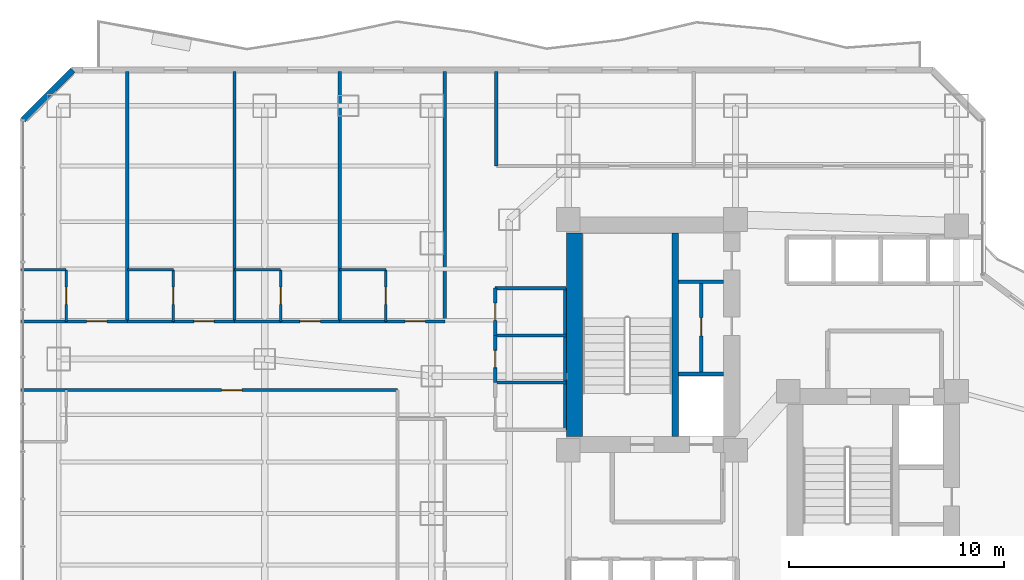
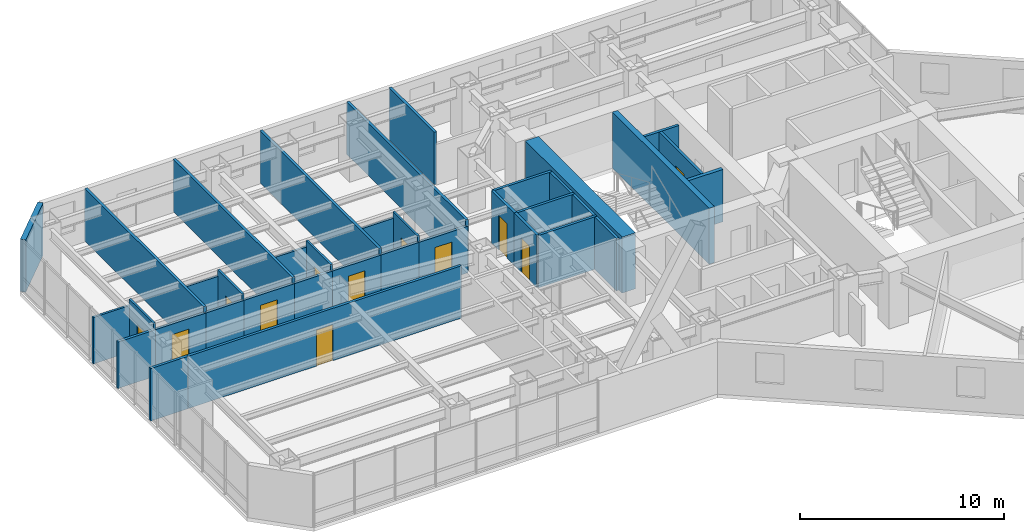
# One storey, part 26 of 33: 35 walls, 12 doors, 12 openings.
"""IFC4 building model written with IfcOpenShell, lengths in metres."""

from ifc_helpers import new_model, si_unit, direction, frame, frame_2d, origin, place, context, subcontext, project, spatial, rectangle, extrude, material, layer, layer_set, type_object, element, fill, save


model = new_model("IFC4")

# Units and contexts
model_context = context("Model", 3, precision=1e-05, world=origin(), true_north=direction((0.0, 1.0)))
body_context = subcontext(model_context, "Body", "Model", "MODEL_VIEW")
ifc_project = project(units=[si_unit("LENGTHUNIT", "METRE"), si_unit("AREAUNIT", "SQUARE_METRE"), si_unit("VOLUMEUNIT", "CUBIC_METRE"), si_unit("PLANEANGLEUNIT", "RADIAN"), si_unit("MASSUNIT", "GRAM", prefix="KILO")], contexts=[model_context])

# Site, building, storey
site_placement = place(None, origin())
site = spatial("IfcSite", under=ifc_project, at=site_placement, CompositionType="ELEMENT")
building_placement = place(site_placement, origin())
building = spatial("IfcBuilding", under=site, at=building_placement, Name="Hatsunagi Terrace Concourse", CompositionType="ELEMENT")
storey_placement = place(building_placement, frame((0.0, 0.0, 43.300048828125)))
storey = spatial("IfcBuildingStorey", under=building, at=storey_placement, Name="L10", CompositionType="ELEMENT", Elevation=43.300048828125)

# Walls
ifc_material_1 = material(Name="Concrete Fc60", Category="concrete")
ifc_layer_1 = layer(ifc_material_1, 0.75)
ifc_layer_set_1 = layer_set([ifc_layer_1], Name="CoreShearWall_Fc60_750")
wall_type_1 = type_object("IfcWallType", Name="CoreShearWall_Fc60_750", PredefinedType="SHEAR", material=ifc_layer_set_1)
wall_1_placement = place(storey_placement, frame((25.844970703125, 33.18994140625, 0.0), z_axis=(0.0, 0.0, 1.0), x_axis=(0.0, 1.0, 0.0)))
element("IfcWall", 1, at=wall_1_placement, inside=storey, type_object=wall_type_1, Name="Core A Shear Wall W L10", PredefinedType="SHEAR", context=body_context, shape_type="SweptSolid", body=[
    extrude(rectangle(XDim=9.47998046875, YDim=0.75, at=frame_2d((4.739990234375, 0.0))), origin(), (0.0, 0.0, 1.0), 3.349853515625),
])
ifc_material_2 = material(Name="Concrete Fc48", Category="concrete")
ifc_layer_2 = layer(ifc_material_2, 0.300048828125)
ifc_layer_set_2 = layer_set([ifc_layer_2], Name="CoreStairDivider_Fc48_300")
wall_type_2 = type_object("IfcWallType", Name="CoreStairDivider_Fc48_300", PredefinedType="SHEAR", material=ifc_layer_set_2)
wall_2_placement = place(storey_placement, frame((30.5400390625, 33.18994140625, 0.0), z_axis=(0.0, 0.0, 1.0), x_axis=(0.0, 1.0, 0.0)))
element("IfcWall", 2, at=wall_2_placement, inside=storey, type_object=wall_type_2, Name="Core A Shear Wall D L10", PredefinedType="SHEAR", context=body_context, shape_type="SweptSolid", body=[
    extrude(rectangle(XDim=9.47998046875, YDim=0.300048828125, at=frame_2d((4.739990234375, 0.0))), origin(), (0.0, 0.0, 1.0), 3.349853515625),
])

# Wall, opening, door
ifc_material_3 = material(Name="Acoustic mineral board", Category="gypsum")
ifc_layer_3 = layer(ifc_material_3, 0.1201171875)
ifc_layer_set_3 = layer_set([ifc_layer_3], Name="PartitionWall_EI30_120")
wall_type_3 = type_object("IfcWallType", Name="PartitionWall_EI30_120", PredefinedType="PARTITIONING", material=ifc_layer_set_3)
wall_3_placement = place(storey_placement, frame((2.14990234375, 38.550048828125, 0.0), z_axis=(0.0, 0.0, 1.0), x_axis=(0.0, 1.0, 0.0)))
wall_3 = element("IfcWall", 3, at=wall_3_placement, inside=storey, type_object=wall_type_3, Name="Interior Partition IW-L10-047", PredefinedType="PARTITIONING", context=body_context, shape_type="SweptSolid", body=[
    extrude(rectangle(XDim=2.39990234375, YDim=0.1201171875, at=frame_2d((1.199951171875, 0.0))), origin(), (0.0, 0.0, 1.0), 3.1298828125),
])
opening_1_placement = place(wall_3_placement, frame((0.800048828125, 0.0, 0.0)))
opening_1 = element("IfcOpeningElement", 4, at=opening_1_placement, cuts=wall_3, Name="Opening DR-080", PredefinedType="OPENING", context=body_context, shape_type="SweptSolid", body=[
    extrude(rectangle(XDim=0.800048828125, YDim=2.06005859375, at=frame_2d((0.39990234375, 1.030029296875))), frame((0.0, 0.070068359375, 0.0), z_axis=(0.0, -1.0, 0.0), x_axis=(1.0, 0.0, 0.0)), (0.0, 0.0, 1.0), 0.14013671875),
])
ifc_material_4 = material(Name="Hardwood timber", Category="wood")
door_type_1 = type_object("IfcDoorType", Name="BathroomDoor_800", OperationType="NOTDEFINED", PredefinedType="DOOR", material=ifc_material_4)
door_1_placement = place(opening_1_placement, origin())
door_1 = element("IfcDoor", 5, at=door_1_placement, inside=storey, type_object=door_type_1, Name="En-Suite Bathroom L10-N1 Door", OperationType="SINGLE_SWING_RIGHT", OverallHeight=2.06005859375, OverallWidth=0.800048828125, PredefinedType="DOOR", context=body_context, shape_type="SweptSolid", body=[
    extrude(rectangle(XDim=0.800048828125, YDim=2.06005859375, at=frame_2d((0.39990234375, 1.030029296875))), frame((0.0, 0.02490234375, 0.0), z_axis=(0.0, -1.0, 0.0), x_axis=(1.0, 0.0, 0.0)), (0.0, 0.0, 1.0), 0.050048828125),
])
fill(opening_1, door_1)

# Wall
wall_4_placement = place(storey_placement, frame((0.0400390625, 40.949951171875, 0.0), z_axis=(0.0, 0.0, 1.0), x_axis=(1.0, 0.0, 0.0)))
element("IfcWall", 6, at=wall_4_placement, inside=storey, type_object=wall_type_3, Name="Interior Partition IW-L10-048", PredefinedType="PARTITIONING", context=body_context, shape_type="SweptSolid", body=[
    extrude(rectangle(XDim=2.10986328125, YDim=0.1201171875, at=frame_2d((1.054931640625, 0.0))), origin(), (0.0, 0.0, 1.0), 2.77490234375),
])

# Wall, opening, door
wall_5_placement = place(storey_placement, frame((7.14990234375, 38.550048828125, 0.0), z_axis=(0.0, 0.0, 1.0), x_axis=(0.0, 1.0, 0.0)))
wall_5 = element("IfcWall", 7, at=wall_5_placement, inside=storey, type_object=wall_type_3, Name="Interior Partition IW-L10-052", PredefinedType="PARTITIONING", context=body_context, shape_type="SweptSolid", body=[
    extrude(rectangle(XDim=2.39990234375, YDim=0.1201171875, at=frame_2d((1.199951171875, 0.0))), origin(), (0.0, 0.0, 1.0), 3.1298828125),
])
opening_2_placement = place(wall_5_placement, frame((0.800048828125, 0.0, 0.0)))
opening_2 = element("IfcOpeningElement", 8, at=opening_2_placement, cuts=wall_5, Name="Opening DR-080", PredefinedType="OPENING", context=body_context, shape_type="SweptSolid", body=[
    extrude(rectangle(XDim=0.800048828125, YDim=2.06005859375, at=frame_2d((0.39990234375, 1.030029296875))), frame((0.0, 0.070068359375, 0.0), z_axis=(0.0, -1.0, 0.0), x_axis=(1.0, 0.0, 0.0)), (0.0, 0.0, 1.0), 0.14013671875),
])
door_2_placement = place(opening_2_placement, origin())
door_2 = element("IfcDoor", 9, at=door_2_placement, inside=storey, type_object=door_type_1, Name="En-Suite Bathroom L10-N2 Door", OperationType="SINGLE_SWING_LEFT", OverallHeight=2.06005859375, OverallWidth=0.800048828125, PredefinedType="DOOR", context=body_context, shape_type="SweptSolid", body=[
    extrude(rectangle(XDim=0.800048828125, YDim=2.06005859375, at=frame_2d((0.39990234375, 1.030029296875))), frame((0.0, 0.02490234375, 0.0), z_axis=(0.0, -1.0, 0.0), x_axis=(1.0, 0.0, 0.0)), (0.0, 0.0, 1.0), 0.050048828125),
])
fill(opening_2, door_2)

# Wall
wall_6_placement = place(storey_placement, frame((5.0, 40.949951171875, 0.0), z_axis=(0.0, 0.0, 1.0), x_axis=(1.0, 0.0, 0.0)))
element("IfcWall", 10, at=wall_6_placement, inside=storey, type_object=wall_type_3, Name="Interior Partition IW-L10-053", PredefinedType="PARTITIONING", context=body_context, shape_type="SweptSolid", body=[
    extrude(rectangle(XDim=2.14990234375, YDim=0.1201171875, at=frame_2d((1.074951171875, 0.0))), origin(), (0.0, 0.0, 1.0), 2.77490234375),
])

# Wall, opening, door
wall_7_placement = place(storey_placement, frame((12.14990234375, 38.550048828125, 0.0), z_axis=(0.0, 0.0, 1.0), x_axis=(0.0, 1.0, 0.0)))
wall_7 = element("IfcWall", 11, at=wall_7_placement, inside=storey, type_object=wall_type_3, Name="Interior Partition IW-L10-057", PredefinedType="PARTITIONING", context=body_context, shape_type="SweptSolid", body=[
    extrude(rectangle(XDim=2.39990234375, YDim=0.1201171875, at=frame_2d((1.199951171875, 0.0))), origin(), (0.0, 0.0, 1.0), 3.1298828125),
])
opening_3_placement = place(wall_7_placement, frame((0.800048828125, 0.0, 0.0)))
opening_3 = element("IfcOpeningElement", 12, at=opening_3_placement, cuts=wall_7, Name="Opening DR-080", PredefinedType="OPENING", context=body_context, shape_type="SweptSolid", body=[
    extrude(rectangle(XDim=0.800048828125, YDim=2.06005859375, at=frame_2d((0.39990234375, 1.030029296875))), frame((0.0, 0.070068359375, 0.0), z_axis=(0.0, -1.0, 0.0), x_axis=(1.0, 0.0, 0.0)), (0.0, 0.0, 1.0), 0.14013671875),
])
door_3_placement = place(opening_3_placement, origin())
door_3 = element("IfcDoor", 13, at=door_3_placement, inside=storey, type_object=door_type_1, Name="En-Suite Bathroom L10-N3 Door", OperationType="SINGLE_SWING_RIGHT", OverallHeight=2.06005859375, OverallWidth=0.800048828125, PredefinedType="DOOR", context=body_context, shape_type="SweptSolid", body=[
    extrude(rectangle(XDim=0.800048828125, YDim=2.06005859375, at=frame_2d((0.39990234375, 1.030029296875))), frame((0.0, 0.02490234375, 0.0), z_axis=(0.0, -1.0, 0.0), x_axis=(1.0, 0.0, 0.0)), (0.0, 0.0, 1.0), 0.050048828125),
])
fill(opening_3, door_3)

# Wall
wall_8_placement = place(storey_placement, frame((10.0, 40.949951171875, 0.0), z_axis=(0.0, 0.0, 1.0), x_axis=(1.0, 0.0, 0.0)))
element("IfcWall", 14, at=wall_8_placement, inside=storey, type_object=wall_type_3, Name="Interior Partition IW-L10-058", PredefinedType="PARTITIONING", context=body_context, shape_type="SweptSolid", body=[
    extrude(rectangle(XDim=2.14990234375, YDim=0.1201171875, at=frame_2d((1.074951171875, 0.0))), origin(), (0.0, 0.0, 1.0), 2.77490234375),
])

# Wall, opening, door
wall_9_placement = place(storey_placement, frame((17.050048828125, 38.550048828125, 0.0), z_axis=(0.0, 0.0, 1.0), x_axis=(0.0, 1.0, 0.0)))
wall_9 = element("IfcWall", 15, at=wall_9_placement, inside=storey, type_object=wall_type_3, Name="Interior Partition IW-L10-062", PredefinedType="PARTITIONING", context=body_context, shape_type="SweptSolid", body=[
    extrude(rectangle(XDim=2.39990234375, YDim=0.1201171875, at=frame_2d((1.199951171875, 0.0))), origin(), (0.0, 0.0, 1.0), 3.1298828125),
])
opening_4_placement = place(wall_9_placement, frame((0.800048828125, 0.0, 0.0)))
opening_4 = element("IfcOpeningElement", 16, at=opening_4_placement, cuts=wall_9, Name="Opening DR-080", PredefinedType="OPENING", context=body_context, shape_type="SweptSolid", body=[
    extrude(rectangle(XDim=0.800048828125, YDim=2.06005859375, at=frame_2d((0.39990234375, 1.030029296875))), frame((0.0, 0.070068359375, 0.0), z_axis=(0.0, -1.0, 0.0), x_axis=(1.0, 0.0, 0.0)), (0.0, 0.0, 1.0), 0.14013671875),
])
door_4_placement = place(opening_4_placement, origin())
door_4 = element("IfcDoor", 17, at=door_4_placement, inside=storey, type_object=door_type_1, Name="En-Suite Bathroom L10-N4 Door", OperationType="SINGLE_SWING_LEFT", OverallHeight=2.06005859375, OverallWidth=0.800048828125, PredefinedType="DOOR", context=body_context, shape_type="SweptSolid", body=[
    extrude(rectangle(XDim=0.800048828125, YDim=2.06005859375, at=frame_2d((0.39990234375, 1.030029296875))), frame((0.0, 0.02490234375, 0.0), z_axis=(0.0, -1.0, 0.0), x_axis=(1.0, 0.0, 0.0)), (0.0, 0.0, 1.0), 0.050048828125),
])
fill(opening_4, door_4)

# Wall
wall_10_placement = place(storey_placement, frame((14.89990234375, 40.949951171875, 0.0), z_axis=(0.0, 0.0, 1.0), x_axis=(1.0, 0.0, 0.0)))
element("IfcWall", 18, at=wall_10_placement, inside=storey, type_object=wall_type_3, Name="Interior Partition IW-L10-063", PredefinedType="PARTITIONING", context=body_context, shape_type="SweptSolid", body=[
    extrude(rectangle(XDim=2.150146484375, YDim=0.1201171875, at=frame_2d((1.0751953125, 0.0))), origin(), (0.0, 0.0, 1.0), 2.77490234375),
])

# Wall, opening, door
ifc_material_5 = material(Name="Acoustic mineral board", Category="gypsum")
ifc_layer_4 = layer(ifc_material_5, 0.14990234375)
ifc_layer_set_4 = layer_set([ifc_layer_4], Name="PartitionWall_EI60_150")
wall_type_4 = type_object("IfcWallType", Name="PartitionWall_EI60_150", PredefinedType="PARTITIONING", material=ifc_layer_set_4)
wall_11_placement = place(storey_placement, frame((31.75, 36.179931640625, 0.0), z_axis=(0.0, 0.0, 1.0), x_axis=(0.0, 1.0, 0.0)))
wall_11 = element("IfcWall", 19, at=wall_11_placement, inside=storey, type_object=wall_type_4, Name="Interior Partition IW-L10-002", PredefinedType="PARTITIONING", context=body_context, shape_type="SweptSolid", body=[
    extrude(rectangle(XDim=4.239990234375, YDim=0.14990234375, at=frame_2d((2.1201171875, 0.0))), origin(), (0.0, 0.0, 1.0), 3.1298828125),
])
opening_5_placement = place(wall_11_placement, frame((1.695068359375, 0.0, 0.0)))
opening_5 = element("IfcOpeningElement", 20, at=opening_5_placement, cuts=wall_11, Name="Opening DR-085", PredefinedType="OPENING", context=body_context, shape_type="SweptSolid", body=[
    extrude(rectangle(XDim=0.85009765625, YDim=2.080078125, at=frame_2d((0.425048828125, 1.0400390625))), frame((0.0, 0.0849609375, 0.0), z_axis=(0.0, -1.0, 0.0), x_axis=(1.0, 0.0, 0.0)), (0.0, 0.0, 1.0), 0.169921875),
])
ifc_material_6 = material(Name="Painted steel", Category="steel")
door_type_2 = type_object("IfcDoorType", Name="RiserAccessDoor_EI60_850", OperationType="NOTDEFINED", PredefinedType="DOOR", material=ifc_material_6)
door_5_placement = place(opening_5_placement, origin())
door_5 = element("IfcDoor", 21, at=door_5_placement, inside=storey, type_object=door_type_2, Name="Core A Sub-Riser Door L10", OperationType="SINGLE_SWING_LEFT", OverallHeight=2.080078125, OverallWidth=0.85009765625, PredefinedType="DOOR", context=body_context, shape_type="SweptSolid", body=[
    extrude(rectangle(XDim=0.85009765625, YDim=2.080078125, at=frame_2d((0.425048828125, 1.0400390625))), frame((0.0, 0.02490234375, 0.0), z_axis=(0.0, -1.0, 0.0), x_axis=(1.0, 0.0, 0.0)), (0.0, 0.0, 1.0), 0.050048828125),
])
fill(opening_5, door_5)

# Walls
wall_12_placement = place(storey_placement, frame((30.699951171875, 40.39990234375, 0.0), z_axis=(0.0, 0.0, 1.0), x_axis=(1.0, 0.0, 0.0)))
element("IfcWall", 22, at=wall_12_placement, inside=storey, type_object=wall_type_4, Name="Interior Partition IW-L10-003", PredefinedType="PARTITIONING", context=body_context, shape_type="SweptSolid", body=[
    extrude(rectangle(XDim=2.10009765625, YDim=0.14990234375, at=frame_2d((1.050048828125, 0.0))), origin(), (0.0, 0.0, 1.0), 3.1298828125),
])
wall_13_placement = place(storey_placement, frame((22.14990234375, 40.10009765625, 0.0), z_axis=(0.0, 0.0, 1.0), x_axis=(1.0, 0.0, 0.0)))
element("IfcWall", 23, at=wall_13_placement, inside=storey, type_object=wall_type_4, Name="Interior Partition IW-L10-031", PredefinedType="PARTITIONING", context=body_context, shape_type="SweptSolid", body=[
    extrude(rectangle(XDim=3.300048828125, YDim=0.14990234375, at=frame_2d((1.64990234375, 0.0))), origin(), (0.0, 0.0, 1.0), 3.1298828125),
])
wall_14_placement = place(storey_placement, frame((25.39990234375, 33.5, 0.0), z_axis=(0.0, 0.0, 1.0), x_axis=(0.0, 1.0, 0.0)))
element("IfcWall", 24, at=wall_14_placement, inside=storey, type_object=wall_type_4, Name="Interior Partition IW-L10-032", PredefinedType="PARTITIONING", context=body_context, shape_type="SweptSolid", body=[
    extrude(rectangle(XDim=6.60009765625, YDim=0.14990234375, at=frame_2d((3.300048828125, 0.0))), origin(), (0.0, 0.0, 1.0), 3.1298828125),
])
for number, where, z_axis, x_axis, name in (
    (25, (22.14990234375, 35.699951171875, 0.0), (0.0, 0.0, 1.0), (1.0, 0.0, 0.0), "Interior Partition IW-L10-033"),
    (26, (22.14990234375, 37.89990234375, 0.0), (0.0, 0.0, 1.0), (1.0, 0.0, 0.0), "Interior Partition IW-L10-034"),
):
    element("IfcWall", number, at=place(storey_placement, frame(where, z_axis=z_axis, x_axis=x_axis)), inside=storey, type_object=wall_type_4, Name=name, PredefinedType="PARTITIONING", context=body_context, shape_type="SweptSolid", body=[
        extrude(rectangle(XDim=3.300048828125, YDim=0.14990234375, at=frame_2d((1.64990234375, 0.0))), origin(), (0.0, 0.0, 1.0), 3.1298828125),
    ])

# Wall, opening, door
wall_15_placement = place(storey_placement, frame((22.14990234375, 35.699951171875, 0.0), z_axis=(0.0, 0.0, 1.0), x_axis=(0.0, 1.0, 0.0)))
wall_15 = element("IfcWall", 27, at=wall_15_placement, inside=storey, type_object=wall_type_4, Name="Interior Partition IW-L10-036", PredefinedType="PARTITIONING", context=body_context, shape_type="SweptSolid", body=[
    extrude(rectangle(XDim=2.199951171875, YDim=0.14990234375, at=frame_2d((1.10009765625, 0.0))), origin(), (0.0, 0.0, 1.0), 3.1298828125),
])
opening_6_placement = place(wall_15_placement, frame((0.699951171875, 0.0, 0.0)))
opening_6 = element("IfcOpeningElement", 28, at=opening_6_placement, cuts=wall_15, Name="Opening DR-080", PredefinedType="OPENING", context=body_context, shape_type="SweptSolid", body=[
    extrude(rectangle(XDim=0.800048828125, YDim=2.06005859375, at=frame_2d((0.39990234375, 1.030029296875))), frame((0.0, 0.0849609375, 0.0), z_axis=(0.0, -1.0, 0.0), x_axis=(1.0, 0.0, 0.0)), (0.0, 0.0, 1.0), 0.169921875),
])
door_6_placement = place(opening_6_placement, origin())
door_6 = element("IfcDoor", 29, at=door_6_placement, inside=storey, type_object=door_type_1, Name="Female Restroom Door L10", OperationType="SINGLE_SWING_RIGHT", OverallHeight=2.06005859375, OverallWidth=0.800048828125, PredefinedType="DOOR", context=body_context, shape_type="SweptSolid", body=[
    extrude(rectangle(XDim=0.800048828125, YDim=2.06005859375, at=frame_2d((0.39990234375, 1.030029296875))), frame((0.0, 0.02490234375, 0.0), z_axis=(0.0, -1.0, 0.0), x_axis=(1.0, 0.0, 0.0)), (0.0, 0.0, 1.0), 0.050048828125),
])
fill(opening_6, door_6)

wall_16_placement = place(storey_placement, frame((22.14990234375, 37.89990234375, 0.0), z_axis=(0.0, 0.0, 1.0), x_axis=(0.0, 1.0, 0.0)))
wall_16 = element("IfcWall", 30, at=wall_16_placement, inside=storey, type_object=wall_type_4, Name="Interior Partition IW-L10-037", PredefinedType="PARTITIONING", context=body_context, shape_type="SweptSolid", body=[
    extrude(rectangle(XDim=2.2001953125, YDim=0.14990234375, at=frame_2d((1.10009765625, 0.0))), origin(), (0.0, 0.0, 1.0), 3.1298828125),
])
opening_7_placement = place(wall_16_placement, frame((0.699951171875, 0.0, 0.0)))
opening_7 = element("IfcOpeningElement", 31, at=opening_7_placement, cuts=wall_16, Name="Opening DR-080", PredefinedType="OPENING", context=body_context, shape_type="SweptSolid", body=[
    extrude(rectangle(XDim=0.800048828125, YDim=2.06005859375, at=frame_2d((0.39990234375, 1.030029296875))), frame((0.0, 0.0849609375, 0.0), z_axis=(0.0, -1.0, 0.0), x_axis=(1.0, 0.0, 0.0)), (0.0, 0.0, 1.0), 0.169921875),
])
door_7_placement = place(opening_7_placement, origin())
door_7 = element("IfcDoor", 32, at=door_7_placement, inside=storey, type_object=door_type_1, Name="Male Restroom Door L10", OperationType="SINGLE_SWING_RIGHT", OverallHeight=2.06005859375, OverallWidth=0.800048828125, PredefinedType="DOOR", context=body_context, shape_type="SweptSolid", body=[
    extrude(rectangle(XDim=0.800048828125, YDim=2.06005859375, at=frame_2d((0.39990234375, 1.030029296875))), frame((0.0, 0.02490234375, 0.0), z_axis=(0.0, -1.0, 0.0), x_axis=(1.0, 0.0, 0.0)), (0.0, 0.0, 1.0), 0.050048828125),
])
fill(opening_7, door_7)

# Walls
wall_17_placement = place(storey_placement, frame((22.199951171875, 45.800048828125, 0.0), z_axis=(0.0, 0.0, 1.0), x_axis=(0.0, 1.0, 0.0)))
element("IfcWall", 33, at=wall_17_placement, inside=storey, type_object=wall_type_4, Name="Interior Partition IW-L10-039", PredefinedType="PARTITIONING", context=body_context, shape_type="SweptSolid", body=[
    extrude(rectangle(XDim=4.39990234375, YDim=0.14990234375, at=frame_2d((2.199951171875, 0.0))), origin(), (0.0, 0.0, 1.0), 3.1298828125),
])
wall_18_placement = place(storey_placement, frame((0.0400390625, 38.550048828125, 0.0), z_axis=(0.0, 0.0, 1.0), x_axis=(1.0, 0.0, 0.0)))
element("IfcWall", 34, at=wall_18_placement, inside=storey, type_object=wall_type_4, Name="Interior Partition IW-L10-045", PredefinedType="PARTITIONING", context=body_context, shape_type="SweptSolid", body=[
    extrude(rectangle(XDim=2.10986328125, YDim=0.14990234375, at=frame_2d((1.054931640625, 0.0))), origin(), (0.0, 0.0, 1.0), 2.77490234375),
])

# Wall, opening, door
wall_19_placement = place(storey_placement, frame((2.14990234375, 38.550048828125, 0.0), z_axis=(0.0, 0.0, 1.0), x_axis=(1.0, 0.0, 0.0)))
wall_19 = element("IfcWall", 35, at=wall_19_placement, inside=storey, type_object=wall_type_4, Name="Interior Partition IW-L10-046", PredefinedType="PARTITIONING", context=body_context, shape_type="SweptSolid", body=[
    extrude(rectangle(XDim=2.85009765625, YDim=0.14990234375, at=frame_2d((1.425048828125, 0.0))), origin(), (0.0, 0.0, 1.0), 2.77490234375),
])
opening_8_placement = place(wall_19_placement, frame((0.949951171875, 0.0, 0.0)))
opening_8 = element("IfcOpeningElement", 36, at=opening_8_placement, cuts=wall_19, Name="Opening DR-095", PredefinedType="OPENING", context=body_context, shape_type="SweptSolid", body=[
    extrude(rectangle(XDim=0.949951171875, YDim=2.14990234375, at=frame_2d((0.47509765625, 1.074951171875))), frame((0.0, 0.0849609375, 0.0), z_axis=(0.0, -1.0, 0.0), x_axis=(1.0, 0.0, 0.0)), (0.0, 0.0, 1.0), 0.169921875),
])
ifc_material_7 = material(Name="Hardwood timber", Category="wood")
door_type_3 = type_object("IfcDoorType", Name="InteriorSuiteDoor_EI30_950", OperationType="NOTDEFINED", PredefinedType="DOOR", material=ifc_material_7)
door_8_placement = place(opening_8_placement, origin())
door_8 = element("IfcDoor", 37, at=door_8_placement, inside=storey, type_object=door_type_3, Name="Hotel Guest Room L10-N1 Door", OperationType="SINGLE_SWING_LEFT", OverallHeight=2.14990234375, OverallWidth=0.949951171875, PredefinedType="DOOR", context=body_context, shape_type="SweptSolid", body=[
    extrude(rectangle(XDim=0.949951171875, YDim=2.14990234375, at=frame_2d((0.47509765625, 1.074951171875))), frame((0.0, 0.02490234375, 0.0), z_axis=(0.0, -1.0, 0.0), x_axis=(1.0, 0.0, 0.0)), (0.0, 0.0, 1.0), 0.050048828125),
])
fill(opening_8, door_8)

# Walls
wall_20_placement = place(storey_placement, frame((5.0, 38.550048828125, 0.0), z_axis=(0.0, 0.0, 1.0), x_axis=(0.0, 1.0, 0.0)))
element("IfcWall", 38, at=wall_20_placement, inside=storey, type_object=wall_type_4, Name="Interior Partition IW-L10-049", PredefinedType="PARTITIONING", context=body_context, shape_type="SweptSolid", body=[
    extrude(rectangle(XDim=11.64990234375, YDim=0.14990234375, at=frame_2d((5.824951171875, 0.0))), origin(), (0.0, 0.0, 1.0), 3.1298828125),
])
wall_21_placement = place(storey_placement, frame((5.0, 38.550048828125, 0.0), z_axis=(0.0, 0.0, 1.0), x_axis=(1.0, 0.0, 0.0)))
element("IfcWall", 39, at=wall_21_placement, inside=storey, type_object=wall_type_4, Name="Interior Partition IW-L10-050", PredefinedType="PARTITIONING", context=body_context, shape_type="SweptSolid", body=[
    extrude(rectangle(XDim=2.14990234375, YDim=0.14990234375, at=frame_2d((1.074951171875, 0.0))), origin(), (0.0, 0.0, 1.0), 2.77490234375),
])

# Wall, opening, door
wall_22_placement = place(storey_placement, frame((7.14990234375, 38.550048828125, 0.0), z_axis=(0.0, 0.0, 1.0), x_axis=(1.0, 0.0, 0.0)))
wall_22 = element("IfcWall", 40, at=wall_22_placement, inside=storey, type_object=wall_type_4, Name="Interior Partition IW-L10-051", PredefinedType="PARTITIONING", context=body_context, shape_type="SweptSolid", body=[
    extrude(rectangle(XDim=2.85009765625, YDim=0.14990234375, at=frame_2d((1.425048828125, 0.0))), origin(), (0.0, 0.0, 1.0), 2.77490234375),
])
opening_9_placement = place(wall_22_placement, frame((0.949951171875, 0.0, 0.0)))
opening_9 = element("IfcOpeningElement", 41, at=opening_9_placement, cuts=wall_22, Name="Opening DR-095", PredefinedType="OPENING", context=body_context, shape_type="SweptSolid", body=[
    extrude(rectangle(XDim=0.949951171875, YDim=2.14990234375, at=frame_2d((0.47509765625, 1.074951171875))), frame((0.0, 0.0849609375, 0.0), z_axis=(0.0, -1.0, 0.0), x_axis=(1.0, 0.0, 0.0)), (0.0, 0.0, 1.0), 0.169921875),
])
door_9_placement = place(opening_9_placement, origin())
door_9 = element("IfcDoor", 42, at=door_9_placement, inside=storey, type_object=door_type_3, Name="Hotel Guest Room L10-N2 Door", OperationType="SINGLE_SWING_LEFT", OverallHeight=2.14990234375, OverallWidth=0.949951171875, PredefinedType="DOOR", context=body_context, shape_type="SweptSolid", body=[
    extrude(rectangle(XDim=0.949951171875, YDim=2.14990234375, at=frame_2d((0.47509765625, 1.074951171875))), frame((0.0, 0.02490234375, 0.0), z_axis=(0.0, -1.0, 0.0), x_axis=(1.0, 0.0, 0.0)), (0.0, 0.0, 1.0), 0.050048828125),
])
fill(opening_9, door_9)

# Walls
wall_23_placement = place(storey_placement, frame((10.0, 38.550048828125, 0.0), z_axis=(0.0, 0.0, 1.0), x_axis=(0.0, 1.0, 0.0)))
element("IfcWall", 43, at=wall_23_placement, inside=storey, type_object=wall_type_4, Name="Interior Partition IW-L10-054", PredefinedType="PARTITIONING", context=body_context, shape_type="SweptSolid", body=[
    extrude(rectangle(XDim=11.64990234375, YDim=0.14990234375, at=frame_2d((5.824951171875, 0.0))), origin(), (0.0, 0.0, 1.0), 3.1298828125),
])
wall_24_placement = place(storey_placement, frame((10.0, 38.550048828125, 0.0), z_axis=(0.0, 0.0, 1.0), x_axis=(1.0, 0.0, 0.0)))
element("IfcWall", 44, at=wall_24_placement, inside=storey, type_object=wall_type_4, Name="Interior Partition IW-L10-055", PredefinedType="PARTITIONING", context=body_context, shape_type="SweptSolid", body=[
    extrude(rectangle(XDim=2.14990234375, YDim=0.14990234375, at=frame_2d((1.074951171875, 0.0))), origin(), (0.0, 0.0, 1.0), 2.77490234375),
])

# Wall, opening, door
wall_25_placement = place(storey_placement, frame((12.14990234375, 38.550048828125, 0.0), z_axis=(0.0, 0.0, 1.0), x_axis=(1.0, 0.0, 0.0)))
wall_25 = element("IfcWall", 45, at=wall_25_placement, inside=storey, type_object=wall_type_4, Name="Interior Partition IW-L10-056", PredefinedType="PARTITIONING", context=body_context, shape_type="SweptSolid", body=[
    extrude(rectangle(XDim=2.75, YDim=0.14990234375, at=frame_2d((1.375, 0.0))), origin(), (0.0, 0.0, 1.0), 2.77490234375),
])
opening_10_placement = place(wall_25_placement, frame((0.89990234375, 0.0, 0.0)))
opening_10 = element("IfcOpeningElement", 46, at=opening_10_placement, cuts=wall_25, Name="Opening DR-095", PredefinedType="OPENING", context=body_context, shape_type="SweptSolid", body=[
    extrude(rectangle(XDim=0.949951171875, YDim=2.14990234375, at=frame_2d((0.47509765625, 1.074951171875))), frame((0.0, 0.0849609375, 0.0), z_axis=(0.0, -1.0, 0.0), x_axis=(1.0, 0.0, 0.0)), (0.0, 0.0, 1.0), 0.169921875),
])
door_10_placement = place(opening_10_placement, origin())
door_10 = element("IfcDoor", 47, at=door_10_placement, inside=storey, type_object=door_type_3, Name="Hotel Guest Room L10-N3 Door", OperationType="SINGLE_SWING_LEFT", OverallHeight=2.14990234375, OverallWidth=0.949951171875, PredefinedType="DOOR", context=body_context, shape_type="SweptSolid", body=[
    extrude(rectangle(XDim=0.949951171875, YDim=2.14990234375, at=frame_2d((0.47509765625, 1.074951171875))), frame((0.0, 0.02490234375, 0.0), z_axis=(0.0, -1.0, 0.0), x_axis=(1.0, 0.0, 0.0)), (0.0, 0.0, 1.0), 0.050048828125),
])
fill(opening_10, door_10)

# Walls
wall_26_placement = place(storey_placement, frame((14.89990234375, 38.550048828125, 0.0), z_axis=(0.0, 0.0, 1.0), x_axis=(0.0, 1.0, 0.0)))
element("IfcWall", 48, at=wall_26_placement, inside=storey, type_object=wall_type_4, Name="Interior Partition IW-L10-059", PredefinedType="PARTITIONING", context=body_context, shape_type="SweptSolid", body=[
    extrude(rectangle(XDim=11.64990234375, YDim=0.14990234375, at=frame_2d((5.824951171875, 0.0))), origin(), (0.0, 0.0, 1.0), 3.1298828125),
])
wall_27_placement = place(storey_placement, frame((14.89990234375, 38.550048828125, 0.0), z_axis=(0.0, 0.0, 1.0), x_axis=(1.0, 0.0, 0.0)))
element("IfcWall", 49, at=wall_27_placement, inside=storey, type_object=wall_type_4, Name="Interior Partition IW-L10-060", PredefinedType="PARTITIONING", context=body_context, shape_type="SweptSolid", body=[
    extrude(rectangle(XDim=2.150146484375, YDim=0.14990234375, at=frame_2d((1.0751953125, 0.0))), origin(), (0.0, 0.0, 1.0), 2.77490234375),
])

# Wall, opening, door
wall_28_placement = place(storey_placement, frame((17.050048828125, 38.550048828125, 0.0), z_axis=(0.0, 0.0, 1.0), x_axis=(1.0, 0.0, 0.0)))
wall_28 = element("IfcWall", 50, at=wall_28_placement, inside=storey, type_object=wall_type_4, Name="Interior Partition IW-L10-061", PredefinedType="PARTITIONING", context=body_context, shape_type="SweptSolid", body=[
    extrude(rectangle(XDim=2.75, YDim=0.14990234375, at=frame_2d((1.375, 0.0))), origin(), (0.0, 0.0, 1.0), 2.77490234375),
])
opening_11_placement = place(wall_28_placement, frame((0.89990234375, 0.0, 0.0)))
opening_11 = element("IfcOpeningElement", 51, at=opening_11_placement, cuts=wall_28, Name="Opening DR-095", PredefinedType="OPENING", context=body_context, shape_type="SweptSolid", body=[
    extrude(rectangle(XDim=0.949951171875, YDim=2.14990234375, at=frame_2d((0.47509765625, 1.074951171875))), frame((0.0, 0.0849609375, 0.0), z_axis=(0.0, -1.0, 0.0), x_axis=(1.0, 0.0, 0.0)), (0.0, 0.0, 1.0), 0.169921875),
])
door_11_placement = place(opening_11_placement, origin())
door_11 = element("IfcDoor", 52, at=door_11_placement, inside=storey, type_object=door_type_3, Name="Hotel Guest Room L10-N4 Door", OperationType="SINGLE_SWING_LEFT", OverallHeight=2.14990234375, OverallWidth=0.949951171875, PredefinedType="DOOR", context=body_context, shape_type="SweptSolid", body=[
    extrude(rectangle(XDim=0.949951171875, YDim=2.14990234375, at=frame_2d((0.47509765625, 1.074951171875))), frame((0.0, 0.02490234375, 0.0), z_axis=(0.0, -1.0, 0.0), x_axis=(1.0, 0.0, 0.0)), (0.0, 0.0, 1.0), 0.050048828125),
])
fill(opening_11, door_11)

# Walls
wall_29_placement = place(storey_placement, frame((19.800048828125, 38.550048828125, 0.0), z_axis=(0.0, 0.0, 1.0), x_axis=(0.0, 1.0, 0.0)))
element("IfcWall", 53, at=wall_29_placement, inside=storey, type_object=wall_type_4, Name="Interior Partition IW-L10-064", PredefinedType="PARTITIONING", context=body_context, shape_type="SweptSolid", body=[
    extrude(rectangle(XDim=11.64990234375, YDim=0.14990234375, at=frame_2d((5.824951171875, 0.0))), origin(), (0.0, 0.0, 1.0), 3.1298828125),
])
wall_30_placement = place(storey_placement, frame((0.0400390625, 35.35009765625, 0.0), z_axis=(0.0, 0.0, 1.0), x_axis=(1.0, 0.0, 0.0)))
element("IfcWall", 54, at=wall_30_placement, inside=storey, type_object=wall_type_4, Name="Interior Partition IW-L10-065", PredefinedType="PARTITIONING", context=body_context, shape_type="SweptSolid", body=[
    extrude(rectangle(XDim=2.10986328125, YDim=0.14990234375, at=frame_2d((1.054931640625, 0.0))), origin(), (0.0, 0.0, 1.0), 3.1298828125),
])

# Wall, opening, door
wall_31_placement = place(storey_placement, frame((2.14990234375, 35.35009765625, 0.0), z_axis=(0.0, 0.0, 1.0), x_axis=(1.0, 0.0, 0.0)))
wall_31 = element("IfcWall", 55, at=wall_31_placement, inside=storey, type_object=wall_type_4, Name="Interior Partition IW-L10-066", PredefinedType="PARTITIONING", context=body_context, shape_type="SweptSolid", body=[
    extrude(rectangle(XDim=15.4501953125, YDim=0.14990234375, at=frame_2d((7.72509765625, 0.0))), origin(), (0.0, 0.0, 1.0), 3.1298828125),
])
opening_12_placement = place(wall_31_placement, frame((7.25, 0.0, 0.0)))
opening_12 = element("IfcOpeningElement", 56, at=opening_12_placement, cuts=wall_31, Name="Opening DR-095", PredefinedType="OPENING", context=body_context, shape_type="SweptSolid", body=[
    extrude(rectangle(XDim=0.949951171875, YDim=2.14990234375, at=frame_2d((0.47509765625, 1.074951171875))), frame((0.0, 0.0849609375, 0.0), z_axis=(0.0, -1.0, 0.0), x_axis=(1.0, 0.0, 0.0)), (0.0, 0.0, 1.0), 0.169921875),
])
door_12_placement = place(opening_12_placement, origin())
door_12 = element("IfcDoor", 57, at=door_12_placement, inside=storey, type_object=door_type_3, Name="Corner Hotel Suite L10-S1 Door", OperationType="SINGLE_SWING_RIGHT", OverallHeight=2.14990234375, OverallWidth=0.949951171875, PredefinedType="DOOR", context=body_context, shape_type="SweptSolid", body=[
    extrude(rectangle(XDim=0.949951171875, YDim=2.14990234375, at=frame_2d((0.47509765625, 1.074951171875))), frame((0.0, 0.02490234375, 0.0), z_axis=(0.0, -1.0, 0.0), x_axis=(1.0, 0.0, 0.0)), (0.0, 0.0, 1.0), 0.050048828125),
])
fill(opening_12, door_12)

# Walls
ifc_material_8 = material(Name="Acoustic mineral board", Category="gypsum")
ifc_layer_5 = layer(ifc_material_8, 0.199951171875)
ifc_layer_set_5 = layer_set([ifc_layer_5], Name="ShaftWall_EI120_200")
wall_type_5 = type_object("IfcWallType", Name="ShaftWall_EI120_200", PredefinedType="STANDARD", material=ifc_layer_set_5)
wall_32_placement = place(storey_placement, frame((30.699951171875, 36.10009765625, 0.0), z_axis=(0.0, 0.0, 1.0), x_axis=(1.0, 0.0, 0.0)))
element("IfcWall", 58, at=wall_32_placement, inside=storey, type_object=wall_type_5, Name="Interior Partition IW-L10-001", PredefinedType="STANDARD", context=body_context, shape_type="SweptSolid", body=[
    extrude(rectangle(XDim=2.10009765625, YDim=0.199951171875, at=frame_2d((1.050048828125, 0.0))), origin(), (0.0, 0.0, 1.0), 3.1298828125),
])
ifc_material_9 = material(Name="Autoclaved Lightweight Concrete and Terracotta Cladding", Category="masonry")
ifc_layer_6 = layer(ifc_material_9, 0.280029296875)
ifc_layer_set_6 = layer_set([ifc_layer_6], Name="TerracottaSpandrelWall_280")
wall_type_6 = type_object("IfcWallType", Name="TerracottaSpandrelWall_280", PredefinedType="STANDARD", material=ifc_layer_set_6)
wall_33_placement = place(storey_placement, frame((0.139892578125, 47.94189453125, 0.0), z_axis=(0.0, 0.0, 1.0), x_axis=(0.707106781187, 0.707106781187, 0.0)))
element("IfcWall", 59, at=wall_33_placement, inside=storey, type_object=wall_type_6, Name="Exterior Spandrel Wall EW-L10-10", PredefinedType="STANDARD", context=body_context, shape_type="SweptSolid", body=[
    extrude(rectangle(XDim=3.2783203125, YDim=0.280029296875, at=frame_2d((1.63916015625, 0.0))), origin(), (0.0, 0.0, 1.0), 3.1298828125),
])

save(model, "model.ifc")
